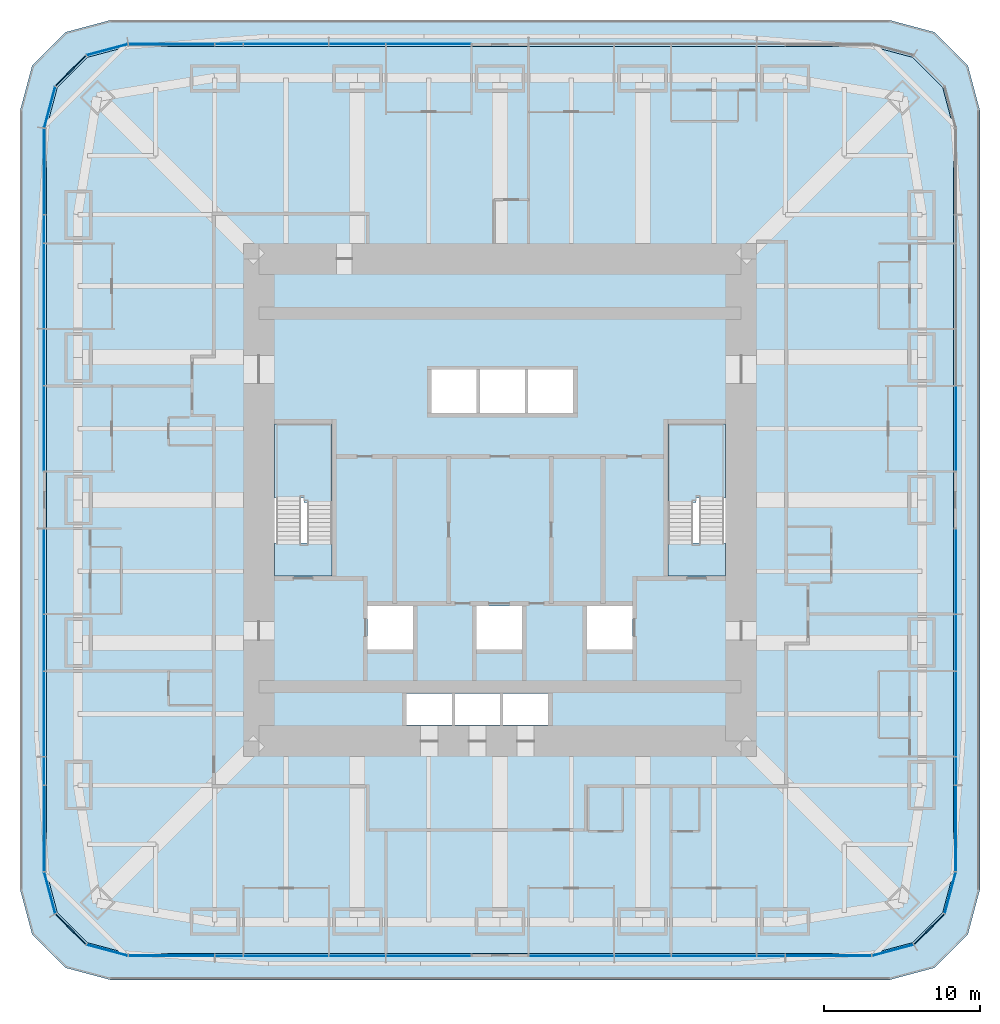
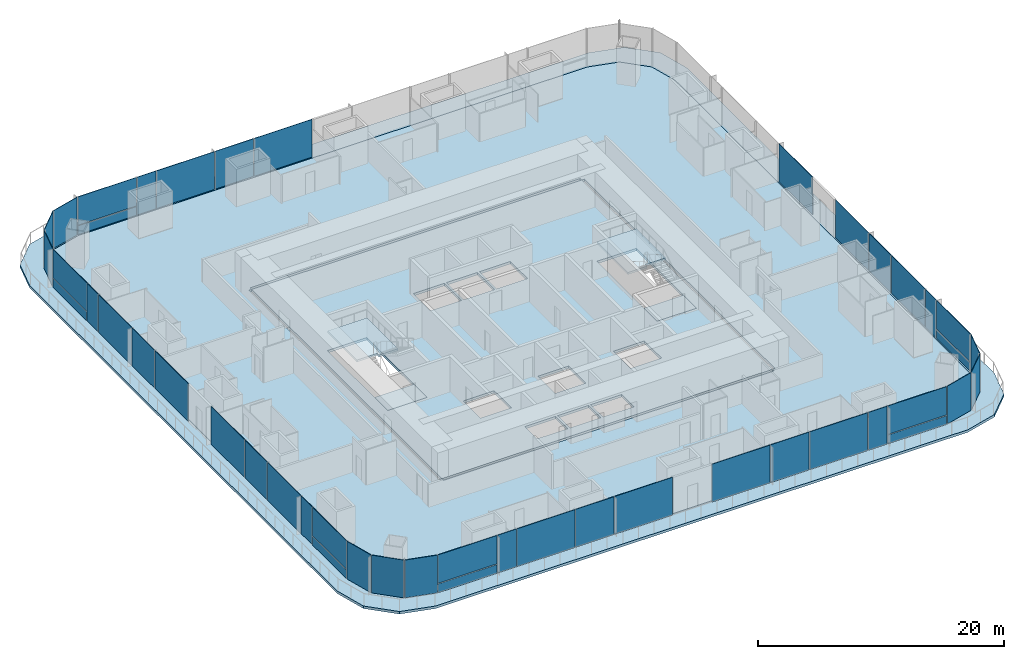
# One storey, part 9 of 16: 46 plates, 7 slabs, 9 elements without a shape of their own.
"""IFC4 building model written with IfcOpenShell, lengths in metres."""

from ifc_helpers import new_model, si_unit, direction, frame, origin, origin_2d, place, context, subcontext, project, spatial, polyline, rectangle, outline, extrude, material, layer, layer_set, type_object, element, aggregate, save


model = new_model("IFC4")

# Units and contexts
model_context = context("Model", 3, precision=1e-05, world=origin(), true_north=direction((0.0, 1.0)))
body_context = subcontext(model_context, "Body", "Model", "MODEL_VIEW")
ifc_project = project(units=[si_unit("LENGTHUNIT", "METRE"), si_unit("AREAUNIT", "SQUARE_METRE"), si_unit("VOLUMEUNIT", "CUBIC_METRE"), si_unit("PLANEANGLEUNIT", "RADIAN"), si_unit("MASSUNIT", "GRAM", prefix="KILO")], contexts=[model_context])

# Site, building, storey
site_placement = place(None, origin())
site = spatial("IfcSite", under=ifc_project, at=site_placement, CompositionType="ELEMENT")
building_placement = place(site_placement, origin())
building = spatial("IfcBuilding", under=site, at=building_placement, Name="Khuree Lantern Residences", CompositionType="ELEMENT")
storey_placement = place(building_placement, frame((0.0, 0.0, 107.25)))
storey = spatial("IfcBuildingStorey", under=building, at=storey_placement, Name="L26", CompositionType="ELEMENT", Elevation=107.25)

# Slab
ifc_material_1 = material(Name="Concrete C35/45", Category="concrete")
ifc_layer_1 = layer(ifc_material_1, 0.25)
ifc_layer_set_1 = layer_set([ifc_layer_1], Name="CFL250 CORE FLOOR SLAB 250")
slab_type_1 = type_object("IfcSlabType", Name="CFL250 CORE FLOOR SLAB 250", PredefinedType="FLOOR", material=ifc_layer_set_1)
slab_1_placement = place(storey_placement, frame((0.0, 0.0, -0.25)))
element("IfcSlab", 1, at=slab_1_placement, inside=storey, type_object=slab_type_1, Name="Core floor L26", PredefinedType="FLOOR", context=body_context, shape_type="SweptSolid", body=[
    extrude(outline(polyline([(-15.5, -15.5), (-15.5, 15.5), (15.5, 15.5), (15.5, -15.5), (-15.5, -15.5)]), holes=[polyline([(10.800048828125, 4.89990234375), (10.800048828125, -4.89990234375), (14.5, -4.89990234375), (14.5, 4.89990234375), (10.800048828125, 4.89990234375)]), polyline([(8.5, -6.800048828125), (5.60009765625, -6.800048828125), (5.60009765625, -9.60009765625), (8.5, -9.60009765625), (8.5, -6.800048828125)]), polyline([(4.699951171875, 8.39990234375), (1.800048828125, 8.39990234375), (1.800048828125, 5.60009765625), (4.699951171875, 5.60009765625), (4.699951171875, 8.39990234375)]), polyline([(3.10009765625, -12.449951171875), (0.199951171875, -12.449951171875), (0.199951171875, -14.449951171875), (3.10009765625, -14.449951171875), (3.10009765625, -12.449951171875)]), polyline([(1.60009765625, 8.39990234375), (-1.300048828125, 8.39990234375), (-1.300048828125, 5.60009765625), (1.60009765625, 5.60009765625), (1.60009765625, 8.39990234375)]), polyline([(1.39990234375, -6.800048828125), (-1.5, -6.800048828125), (-1.5, -9.60009765625), (1.39990234375, -9.60009765625), (1.39990234375, -6.800048828125)]), polyline([(-2.89990234375, -12.449951171875), (-2.89990234375, -14.449951171875), (0.0, -14.449951171875), (0.0, -12.449951171875), (-2.89990234375, -12.449951171875)]), polyline([(-4.39990234375, 8.39990234375), (-4.39990234375, 5.60009765625), (-1.5, 5.60009765625), (-1.5, 8.39990234375), (-4.39990234375, 8.39990234375)]), polyline([(-6.0, -12.449951171875), (-6.0, -14.449951171875), (-3.10009765625, -14.449951171875), (-3.10009765625, -12.449951171875), (-6.0, -12.449951171875)]), polyline([(-8.5, -6.800048828125), (-8.5, -9.60009765625), (-5.60009765625, -9.60009765625), (-5.60009765625, -6.800048828125), (-8.5, -6.800048828125)]), polyline([(-10.800048828125, 4.89990234375), (-14.5, 4.89990234375), (-14.5, -4.89990234375), (-10.800048828125, -4.89990234375), (-10.800048828125, 4.89990234375)])]), origin(), (0.0, 0.0, 1.0), 0.25),
])

# Curtain wall, plates
ifc_material_2 = material(Name="Bronze anodised aluminium", Category="aluminium")
curtain_wall_type_1 = type_object("IfcCurtainWallType", Name="CW-T2 TOWER CORNER CURTAIN WALL", PredefinedType="USERDEFINED", material=ifc_material_2)
curtain_wall_1_placement = place(storey_placement, origin())
curtain_wall_1 = element("IfcCurtainWall", 2, at=curtain_wall_1_placement, inside=storey, type_object=curtain_wall_type_1, Name="L26 SOUTH-EAST CORNER CURTAIN WALL", ObjectType="Faceted corner curtain wall", PredefinedType="USERDEFINED")
ifc_material_3 = material(Name="Bronze tinted triple glazing", Category="glass")
ifc_layer_2 = layer(ifc_material_3, 0.048095703125)
ifc_layer_set_2 = layer_set([ifc_layer_2], Name="FACET PANEL P4")
plate_type_1 = type_object("IfcPlateType", Name="FACET PANEL P4", PredefinedType="CURTAIN_PANEL", material=ifc_layer_set_2)
plate_1_placement = place(storey_placement, frame((25.248046875, -28.938720703125, 0.0), z_axis=(0.0, 0.0, 1.0), x_axis=(0.965925810153, 0.258819105321, 0.0)))
plate_1 = element("IfcPlate", 3, at=plate_1_placement, type_object=plate_type_1, Name="L26 SOUTH-EAST CORNER PANEL 1.1", PredefinedType="CURTAIN_PANEL", context=body_context, shape_type="SweptSolid", body=[
    extrude(rectangle(XDim=2.71923828125, YDim=0.048095703125, at=origin_2d()), origin(), (0.0, 0.0, 1.0), 3.75),
])
plate_2_placement = place(storey_placement, frame((27.58837890625, -27.58837890625, 0.0), z_axis=(0.0, 0.0, 1.0), x_axis=(0.707106781187, 0.707106781187, 0.0)))
plate_2 = element("IfcPlate", 4, at=plate_2_placement, type_object=plate_type_1, Name="L26 SOUTH-EAST CORNER PANEL 2.1", PredefinedType="CURTAIN_PANEL", context=body_context, shape_type="SweptSolid", body=[
    extrude(rectangle(XDim=2.715087890625, YDim=0.048095703125, at=origin_2d()), origin(), (0.0, 0.0, 1.0), 3.75),
])
plate_3_placement = place(storey_placement, frame((28.938720703125, -25.248046875, 0.0), z_axis=(0.0, 0.0, 1.0), x_axis=(0.258819105321, 0.965925810153, 0.0)))
plate_3 = element("IfcPlate", 5, at=plate_3_placement, type_object=plate_type_1, Name="L26 SOUTH-EAST CORNER PANEL 3.1", PredefinedType="CURTAIN_PANEL", context=body_context, shape_type="SweptSolid", body=[
    extrude(rectangle(XDim=2.71923828125, YDim=0.048095703125, at=origin_2d()), origin(), (0.0, 0.0, 1.0), 3.75),
])
aggregate(curtain_wall_1, [plate_1, plate_2, plate_3])

curtain_wall_2_placement = place(storey_placement, origin())
curtain_wall_2 = element("IfcCurtainWall", 6, at=curtain_wall_2_placement, inside=storey, type_object=curtain_wall_type_1, Name="L26 NORTH-WEST CORNER CURTAIN WALL", ObjectType="Faceted corner curtain wall", PredefinedType="USERDEFINED")
plate_4_placement = place(storey_placement, frame((-25.248046875, 28.938720703125, 0.0), z_axis=(0.0, 0.0, 1.0), x_axis=(-0.965925810153, -0.258819105321, 0.0)))
plate_4 = element("IfcPlate", 7, at=plate_4_placement, type_object=plate_type_1, Name="L26 NORTH-WEST CORNER PANEL 29.1", PredefinedType="CURTAIN_PANEL", context=body_context, shape_type="SweptSolid", body=[
    extrude(rectangle(XDim=2.71923828125, YDim=0.048095703125, at=origin_2d()), origin(), (0.0, 0.0, 1.0), 3.75),
])
plate_5_placement = place(storey_placement, frame((-27.58837890625, 27.58837890625, 0.0), z_axis=(0.0, 0.0, 1.0), x_axis=(-0.707106781187, -0.707106781187, 0.0)))
plate_5 = element("IfcPlate", 8, at=plate_5_placement, type_object=plate_type_1, Name="L26 NORTH-WEST CORNER PANEL 30.1", PredefinedType="CURTAIN_PANEL", context=body_context, shape_type="SweptSolid", body=[
    extrude(rectangle(XDim=2.715087890625, YDim=0.048095703125, at=origin_2d()), origin(), (0.0, 0.0, 1.0), 3.75),
])
plate_6_placement = place(storey_placement, frame((-28.938720703125, 25.248046875, 0.0), z_axis=(0.0, 0.0, 1.0), x_axis=(-0.258819105321, -0.965925810153, 0.0)))
plate_6 = element("IfcPlate", 9, at=plate_6_placement, type_object=plate_type_1, Name="L26 NORTH-WEST CORNER PANEL 31.1", PredefinedType="CURTAIN_PANEL", context=body_context, shape_type="SweptSolid", body=[
    extrude(rectangle(XDim=2.71923828125, YDim=0.048095703125, at=origin_2d()), origin(), (0.0, 0.0, 1.0), 3.75),
])
aggregate(curtain_wall_2, [plate_4, plate_5, plate_6])

curtain_wall_3_placement = place(storey_placement, origin())
curtain_wall_3 = element("IfcCurtainWall", 10, at=curtain_wall_3_placement, inside=storey, type_object=curtain_wall_type_1, Name="L26 SOUTH-WEST CORNER CURTAIN WALL", ObjectType="Faceted corner curtain wall", PredefinedType="USERDEFINED")
plate_7_placement = place(storey_placement, frame((-28.938720703125, -25.248046875, 0.0), z_axis=(0.0, 0.0, 1.0), x_axis=(0.258819105321, -0.965925810153, 0.0)))
plate_7 = element("IfcPlate", 11, at=plate_7_placement, type_object=plate_type_1, Name="L26 SOUTH-WEST CORNER PANEL 43.1", PredefinedType="CURTAIN_PANEL", context=body_context, shape_type="SweptSolid", body=[
    extrude(rectangle(XDim=2.71923828125, YDim=0.048095703125, at=origin_2d()), origin(), (0.0, 0.0, 1.0), 3.75),
])
plate_8_placement = place(storey_placement, frame((-27.58837890625, -27.58837890625, 0.0), z_axis=(0.0, 0.0, 1.0), x_axis=(0.707106781187, -0.707106781187, 0.0)))
plate_8 = element("IfcPlate", 12, at=plate_8_placement, type_object=plate_type_1, Name="L26 SOUTH-WEST CORNER PANEL 44.1", PredefinedType="CURTAIN_PANEL", context=body_context, shape_type="SweptSolid", body=[
    extrude(rectangle(XDim=2.715087890625, YDim=0.048095703125, at=origin_2d()), origin(), (0.0, 0.0, 1.0), 3.75),
])
plate_9_placement = place(storey_placement, frame((-25.248046875, -28.938720703125, 0.0), z_axis=(0.0, 0.0, 1.0), x_axis=(0.965925810153, -0.258819105321, 0.0)))
plate_9 = element("IfcPlate", 13, at=plate_9_placement, type_object=plate_type_1, Name="L26 SOUTH-WEST CORNER PANEL 45.1", PredefinedType="CURTAIN_PANEL", context=body_context, shape_type="SweptSolid", body=[
    extrude(rectangle(XDim=2.71923828125, YDim=0.048095703125, at=origin_2d()), origin(), (0.0, 0.0, 1.0), 3.75),
])
aggregate(curtain_wall_3, [plate_7, plate_8, plate_9])

curtain_wall_type_2 = type_object("IfcCurtainWallType", Name="CW-T1 TOWER FACE CURTAIN WALL", PredefinedType="USERDEFINED", material=ifc_material_2)
curtain_wall_4_placement = place(storey_placement, origin())
curtain_wall_4 = element("IfcCurtainWall", 14, at=curtain_wall_4_placement, inside=storey, type_object=curtain_wall_type_2, Name="L26 EAST FACE CURTAIN WALL", ObjectType="Stick-built curtain wall", PredefinedType="USERDEFINED")
ifc_material_4 = material(Name="Bronze tinted triple glazing with a ceramic-fritted spandrel band", Category="glass")
ifc_layer_3 = layer(ifc_material_4, 0.048095703125)
ifc_layer_set_3 = layer_set([ifc_layer_3], Name="FIXED LIGHT PANEL P11")
plate_type_2 = type_object("IfcPlateType", Name="FIXED LIGHT PANEL P11", PredefinedType="CURTAIN_PANEL", material=ifc_layer_set_3)
plate_10_placement = place(storey_placement, frame((29.300048828125, -13.739990234375, 0.0), z_axis=(0.0, 0.0, 1.0), x_axis=(0.0, 1.0, 0.0)))
plate_10 = element("IfcPlate", 15, at=plate_10_placement, type_object=plate_type_2, Name="L26 EAST FACE PANEL 6.1", PredefinedType="CURTAIN_PANEL", context=body_context, shape_type="SweptSolid", body=[
    extrude(rectangle(XDim=5.430908203125, YDim=0.048095703125, at=origin_2d()), origin(), (0.0, 0.0, 1.0), 3.75),
])
plate_11_placement = place(storey_placement, frame((29.300048828125, -4.580078125, 0.0), z_axis=(0.0, 0.0, 1.0), x_axis=(0.0, 1.0, 0.0)))
plate_11 = element("IfcPlate", 16, at=plate_11_placement, type_object=plate_type_2, Name="L26 EAST FACE PANEL 8.1", PredefinedType="CURTAIN_PANEL", context=body_context, shape_type="SweptSolid", body=[
    extrude(rectangle(XDim=5.430908203125, YDim=0.048095703125, at=origin_2d()), origin(), (0.0, 0.0, 1.0), 3.75),
])
plate_12_placement = place(storey_placement, frame((29.300048828125, 4.580078125, 0.0), z_axis=(0.0, 0.0, 1.0), x_axis=(0.0, 1.0, 0.0)))
plate_12 = element("IfcPlate", 17, at=plate_12_placement, type_object=plate_type_2, Name="L26 EAST FACE PANEL 10.1", PredefinedType="CURTAIN_PANEL", context=body_context, shape_type="SweptSolid", body=[
    extrude(rectangle(XDim=5.430908203125, YDim=0.048095703125, at=origin_2d()), origin(), (0.0, 0.0, 1.0), 3.75),
])

curtain_wall_5_placement = place(storey_placement, origin())
curtain_wall_5 = element("IfcCurtainWall", 18, at=curtain_wall_5_placement, inside=storey, type_object=curtain_wall_type_2, Name="L26 NORTH FACE CURTAIN WALL", ObjectType="Stick-built curtain wall", PredefinedType="USERDEFINED")
plate_13_placement = place(storey_placement, frame((-4.580078125, 29.300048828125, 0.0), z_axis=(0.0, 0.0, 1.0), x_axis=(-1.0, 0.0, 0.0)))
plate_13 = element("IfcPlate", 19, at=plate_13_placement, type_object=plate_type_2, Name="L26 NORTH FACE PANEL 24.1", PredefinedType="CURTAIN_PANEL", context=body_context, shape_type="SweptSolid", body=[
    extrude(rectangle(XDim=5.430908203125, YDim=0.048095703125, at=origin_2d()), origin(), (0.0, 0.0, 1.0), 3.75),
])
plate_14_placement = place(storey_placement, frame((-13.739990234375, 29.300048828125, 0.0), z_axis=(0.0, 0.0, 1.0), x_axis=(-1.0, 0.0, 0.0)))
plate_14 = element("IfcPlate", 20, at=plate_14_placement, type_object=plate_type_2, Name="L26 NORTH FACE PANEL 26.1", PredefinedType="CURTAIN_PANEL", context=body_context, shape_type="SweptSolid", body=[
    extrude(rectangle(XDim=5.430908203125, YDim=0.048095703125, at=origin_2d()), origin(), (0.0, 0.0, 1.0), 3.75),
])

curtain_wall_6_placement = place(storey_placement, origin())
curtain_wall_6 = element("IfcCurtainWall", 21, at=curtain_wall_6_placement, inside=storey, type_object=curtain_wall_type_2, Name="L26 WEST FACE CURTAIN WALL", ObjectType="Stick-built curtain wall", PredefinedType="USERDEFINED")
plate_15_placement = place(storey_placement, frame((-29.300048828125, 13.739990234375, 0.0), z_axis=(0.0, 0.0, 1.0), x_axis=(0.0, -1.0, 0.0)))
plate_15 = element("IfcPlate", 22, at=plate_15_placement, type_object=plate_type_2, Name="L26 WEST FACE PANEL 34.1", PredefinedType="CURTAIN_PANEL", context=body_context, shape_type="SweptSolid", body=[
    extrude(rectangle(XDim=5.430908203125, YDim=0.048095703125, at=origin_2d()), origin(), (0.0, 0.0, 1.0), 3.75),
])
plate_16_placement = place(storey_placement, frame((-29.300048828125, 4.580078125, 0.0), z_axis=(0.0, 0.0, 1.0), x_axis=(0.0, -1.0, 0.0)))
plate_16 = element("IfcPlate", 23, at=plate_16_placement, type_object=plate_type_2, Name="L26 WEST FACE PANEL 36.1", PredefinedType="CURTAIN_PANEL", context=body_context, shape_type="SweptSolid", body=[
    extrude(rectangle(XDim=5.430908203125, YDim=0.048095703125, at=origin_2d()), origin(), (0.0, 0.0, 1.0), 3.75),
])
plate_17_placement = place(storey_placement, frame((-29.300048828125, -4.580078125, 0.0), z_axis=(0.0, 0.0, 1.0), x_axis=(0.0, -1.0, 0.0)))
plate_17 = element("IfcPlate", 24, at=plate_17_placement, type_object=plate_type_2, Name="L26 WEST FACE PANEL 38.1", PredefinedType="CURTAIN_PANEL", context=body_context, shape_type="SweptSolid", body=[
    extrude(rectangle(XDim=5.430908203125, YDim=0.048095703125, at=origin_2d()), origin(), (0.0, 0.0, 1.0), 3.75),
])
plate_18_placement = place(storey_placement, frame((-29.300048828125, -13.739990234375, 0.0), z_axis=(0.0, 0.0, 1.0), x_axis=(0.0, -1.0, 0.0)))
plate_18 = element("IfcPlate", 25, at=plate_18_placement, type_object=plate_type_2, Name="L26 WEST FACE PANEL 40.1", PredefinedType="CURTAIN_PANEL", context=body_context, shape_type="SweptSolid", body=[
    extrude(rectangle(XDim=5.430908203125, YDim=0.048095703125, at=origin_2d()), origin(), (0.0, 0.0, 1.0), 3.75),
])

curtain_wall_7_placement = place(storey_placement, origin())
curtain_wall_7 = element("IfcCurtainWall", 26, at=curtain_wall_7_placement, inside=storey, type_object=curtain_wall_type_2, Name="L26 SOUTH FACE CURTAIN WALL", ObjectType="Stick-built curtain wall", PredefinedType="USERDEFINED")
plate_19_placement = place(storey_placement, frame((-13.739990234375, -29.300048828125, 0.0), z_axis=(0.0, 0.0, 1.0), x_axis=(1.0, 0.0, 0.0)))
plate_19 = element("IfcPlate", 27, at=plate_19_placement, type_object=plate_type_2, Name="L26 SOUTH FACE PANEL 48.1", PredefinedType="CURTAIN_PANEL", context=body_context, shape_type="SweptSolid", body=[
    extrude(rectangle(XDim=5.430908203125, YDim=0.048095703125, at=origin_2d()), origin(), (0.0, 0.0, 1.0), 3.75),
])
plate_20_placement = place(storey_placement, frame((-4.580078125, -29.300048828125, 0.0), z_axis=(0.0, 0.0, 1.0), x_axis=(1.0, 0.0, 0.0)))
plate_20 = element("IfcPlate", 28, at=plate_20_placement, type_object=plate_type_2, Name="L26 SOUTH FACE PANEL 50.1", PredefinedType="CURTAIN_PANEL", context=body_context, shape_type="SweptSolid", body=[
    extrude(rectangle(XDim=5.430908203125, YDim=0.048095703125, at=origin_2d()), origin(), (0.0, 0.0, 1.0), 3.75),
])
plate_21_placement = place(storey_placement, frame((4.580078125, -29.300048828125, 0.0), z_axis=(0.0, 0.0, 1.0), x_axis=(1.0, 0.0, 0.0)))
plate_21 = element("IfcPlate", 29, at=plate_21_placement, type_object=plate_type_2, Name="L26 SOUTH FACE PANEL 52.1", PredefinedType="CURTAIN_PANEL", context=body_context, shape_type="SweptSolid", body=[
    extrude(rectangle(XDim=5.430908203125, YDim=0.048095703125, at=origin_2d()), origin(), (0.0, 0.0, 1.0), 3.75),
])
plate_22_placement = place(storey_placement, frame((13.739990234375, -29.300048828125, 0.0), z_axis=(0.0, 0.0, 1.0), x_axis=(1.0, 0.0, 0.0)))
plate_22 = element("IfcPlate", 30, at=plate_22_placement, type_object=plate_type_2, Name="L26 SOUTH FACE PANEL 54.1", PredefinedType="CURTAIN_PANEL", context=body_context, shape_type="SweptSolid", body=[
    extrude(rectangle(XDim=5.430908203125, YDim=0.048095703125, at=origin_2d()), origin(), (0.0, 0.0, 1.0), 3.75),
])

# Slab
ifc_layer_4 = layer(ifc_material_1, 0.25)
ifc_layer_set_4 = layer_set([ifc_layer_4], Name="FS250 FLOOR SLAB 250")
slab_type_2 = type_object("IfcSlabType", Name="FS250 FLOOR SLAB 250", PredefinedType="FLOOR", material=ifc_layer_set_4)
slab_2_placement = place(storey_placement, frame((0.0, 0.0, -0.25)))
element("IfcSlab", 31, at=slab_2_placement, inside=storey, type_object=slab_type_2, Name="Floor slab L26", PredefinedType="FLOOR", context=body_context, shape_type="SweptSolid", body=[
    extrude(outline(polyline([(-26.52490234375, -28.446533203125), (-28.446533203125, -26.52490234375), (-29.14990234375, -23.89990234375), (-29.14990234375, 23.89990234375), (-28.446533203125, 26.52490234375), (-26.52490234375, 28.446533203125), (-23.89990234375, 29.14990234375), (23.89990234375, 29.14990234375), (26.52490234375, 28.446533203125), (28.446533203125, 26.52490234375), (29.14990234375, 23.89990234375), (29.14990234375, -23.89990234375), (28.446533203125, -26.52490234375), (26.52490234375, -28.446533203125), (23.89990234375, -29.14990234375), (-23.89990234375, -29.14990234375), (-26.52490234375, -28.446533203125)]), holes=[polyline([(15.75, 15.5), (15.5, 15.5), (15.5, 15.75), (-15.5, 15.75), (-15.5, 15.5), (-15.75, 15.5), (-15.75, -15.5), (-15.5, -15.5), (-15.5, -15.75), (15.5, -15.75), (15.5, -15.5), (15.75, -15.5), (15.75, 15.5)])]), origin(), (0.0, 0.0, 1.0), 0.25),
])

# Plate
ifc_material_5 = material(Name="Bronze tinted triple glazing, two aluminium-framed sashes in one frame", Category="aluminium")
ifc_layer_5 = layer(ifc_material_5, 0.048095703125)
ifc_layer_set_5 = layer_set([ifc_layer_5], Name="SASH PAIR PANEL P12")
plate_type_3 = type_object("IfcPlateType", Name="SASH PAIR PANEL P12", PredefinedType="CURTAIN_PANEL", material=ifc_layer_set_5)
plate_23_placement = place(storey_placement, frame((29.300048828125, -9.159912109375, 0.0), z_axis=(0.0, 0.0, 1.0), x_axis=(0.0, 1.0, 0.0)))
plate_23 = element("IfcPlate", 32, at=plate_23_placement, type_object=plate_type_3, Name="L26 EAST FACE PANEL 7.1", PredefinedType="CURTAIN_PANEL", context=body_context, shape_type="SweptSolid", body=[
    extrude(rectangle(XDim=3.59912109375, YDim=0.048095703125, at=origin_2d()), origin(), (0.0, 0.0, 1.0), 3.75),
])

plate_24_placement = place(storey_placement, frame((-9.159912109375, 29.300048828125, 0.0), z_axis=(0.0, 0.0, 1.0), x_axis=(-1.0, 0.0, 0.0)))
plate_24 = element("IfcPlate", 33, at=plate_24_placement, type_object=plate_type_3, Name="L26 NORTH FACE PANEL 25.1", PredefinedType="CURTAIN_PANEL", context=body_context, shape_type="SweptSolid", body=[
    extrude(rectangle(XDim=3.59912109375, YDim=0.048095703125, at=origin_2d()), origin(), (0.0, 0.0, 1.0), 3.75),
])

plate_25_placement = place(storey_placement, frame((-29.300048828125, 9.159912109375, 0.0), z_axis=(0.0, 0.0, 1.0), x_axis=(0.0, -1.0, 0.0)))
plate_25 = element("IfcPlate", 34, at=plate_25_placement, type_object=plate_type_3, Name="L26 WEST FACE PANEL 35.1", PredefinedType="CURTAIN_PANEL", context=body_context, shape_type="SweptSolid", body=[
    extrude(rectangle(XDim=3.59912109375, YDim=0.048095703125, at=origin_2d()), origin(), (0.0, 0.0, 1.0), 3.75),
])

plate_26_placement = place(storey_placement, frame((-29.300048828125, -9.159912109375, 0.0), z_axis=(0.0, 0.0, 1.0), x_axis=(0.0, -1.0, 0.0)))
plate_26 = element("IfcPlate", 35, at=plate_26_placement, type_object=plate_type_3, Name="L26 WEST FACE PANEL 39.1", PredefinedType="CURTAIN_PANEL", context=body_context, shape_type="SweptSolid", body=[
    extrude(rectangle(XDim=3.59912109375, YDim=0.048095703125, at=origin_2d()), origin(), (0.0, 0.0, 1.0), 3.75),
])

plate_27_placement = place(storey_placement, frame((-9.159912109375, -29.300048828125, 0.0), z_axis=(0.0, 0.0, 1.0), x_axis=(1.0, 0.0, 0.0)))
plate_27 = element("IfcPlate", 36, at=plate_27_placement, type_object=plate_type_3, Name="L26 SOUTH FACE PANEL 49.1", PredefinedType="CURTAIN_PANEL", context=body_context, shape_type="SweptSolid", body=[
    extrude(rectangle(XDim=3.59912109375, YDim=0.048095703125, at=origin_2d()), origin(), (0.0, 0.0, 1.0), 3.75),
])

plate_28_placement = place(storey_placement, frame((9.159912109375, -29.300048828125, 0.0), z_axis=(0.0, 0.0, 1.0), x_axis=(1.0, 0.0, 0.0)))
plate_28 = element("IfcPlate", 37, at=plate_28_placement, type_object=plate_type_3, Name="L26 SOUTH FACE PANEL 53.1", PredefinedType="CURTAIN_PANEL", context=body_context, shape_type="SweptSolid", body=[
    extrude(rectangle(XDim=3.59912109375, YDim=0.048095703125, at=origin_2d()), origin(), (0.0, 0.0, 1.0), 3.75),
])

ifc_material_6 = material(Name="Bronze tinted triple glazing, aluminium-framed sash", Category="aluminium")
ifc_layer_6 = layer(ifc_material_6, 0.048095703125)
ifc_layer_set_6 = layer_set([ifc_layer_6], Name="SASH PANEL P3")
plate_type_4 = type_object("IfcPlateType", Name="SASH PANEL P3", PredefinedType="CURTAIN_PANEL", material=ifc_layer_set_6)
plate_29_placement = place(storey_placement, frame((29.300048828125, -17.404052734375, 0.0), z_axis=(0.0, 0.0, 1.0), x_axis=(0.0, 1.0, 0.0)))
plate_29 = element("IfcPlate", 38, at=plate_29_placement, type_object=plate_type_4, Name="L26 EAST FACE PANEL 5.1", PredefinedType="CURTAIN_PANEL", context=body_context, shape_type="SweptSolid", body=[
    extrude(rectangle(XDim=1.76708984375, YDim=0.048095703125, at=origin_2d()), origin(), (0.0, 0.0, 1.0), 3.75),
])

plate_30_placement = place(storey_placement, frame((-17.404052734375, 29.300048828125, 0.0), z_axis=(0.0, 0.0, 1.0), x_axis=(-1.0, 0.0, 0.0)))
plate_30 = element("IfcPlate", 39, at=plate_30_placement, type_object=plate_type_4, Name="L26 NORTH FACE PANEL 27.1", PredefinedType="CURTAIN_PANEL", context=body_context, shape_type="SweptSolid", body=[
    extrude(rectangle(XDim=1.76708984375, YDim=0.048095703125, at=origin_2d()), origin(), (0.0, 0.0, 1.0), 3.75),
])

plate_31_placement = place(storey_placement, frame((-29.300048828125, 17.404052734375, 0.0), z_axis=(0.0, 0.0, 1.0), x_axis=(0.0, -1.0, 0.0)))
plate_31 = element("IfcPlate", 40, at=plate_31_placement, type_object=plate_type_4, Name="L26 WEST FACE PANEL 33.1", PredefinedType="CURTAIN_PANEL", context=body_context, shape_type="SweptSolid", body=[
    extrude(rectangle(XDim=1.76708984375, YDim=0.048095703125, at=origin_2d()), origin(), (0.0, 0.0, 1.0), 3.75),
])

plate_32_placement = place(storey_placement, frame((-29.300048828125, -17.404052734375, 0.0), z_axis=(0.0, 0.0, 1.0), x_axis=(0.0, -1.0, 0.0)))
plate_32 = element("IfcPlate", 41, at=plate_32_placement, type_object=plate_type_4, Name="L26 WEST FACE PANEL 41.1", PredefinedType="CURTAIN_PANEL", context=body_context, shape_type="SweptSolid", body=[
    extrude(rectangle(XDim=1.76708984375, YDim=0.048095703125, at=origin_2d()), origin(), (0.0, 0.0, 1.0), 3.75),
])

plate_33_placement = place(storey_placement, frame((-17.404052734375, -29.300048828125, 0.0), z_axis=(0.0, 0.0, 1.0), x_axis=(1.0, 0.0, 0.0)))
plate_33 = element("IfcPlate", 42, at=plate_33_placement, type_object=plate_type_4, Name="L26 SOUTH FACE PANEL 47.1", PredefinedType="CURTAIN_PANEL", context=body_context, shape_type="SweptSolid", body=[
    extrude(rectangle(XDim=1.76708984375, YDim=0.048095703125, at=origin_2d()), origin(), (0.0, 0.0, 1.0), 3.75),
])

plate_34_placement = place(storey_placement, frame((17.404052734375, -29.300048828125, 0.0), z_axis=(0.0, 0.0, 1.0), x_axis=(1.0, 0.0, 0.0)))
plate_34 = element("IfcPlate", 43, at=plate_34_placement, type_object=plate_type_4, Name="L26 SOUTH FACE PANEL 55.1", PredefinedType="CURTAIN_PANEL", context=body_context, shape_type="SweptSolid", body=[
    extrude(rectangle(XDim=1.76708984375, YDim=0.048095703125, at=origin_2d()), origin(), (0.0, 0.0, 1.0), 3.75),
])

ifc_material_7 = material(Name="Bronze anodised aluminium insulated spandrel", Category="aluminium")
ifc_layer_7 = layer(ifc_material_7, 0.06005859375)
ifc_layer_set_7 = layer_set([ifc_layer_7], Name="SPANDREL PANEL P2")
plate_type_5 = type_object("IfcPlateType", Name="SPANDREL PANEL P2", PredefinedType="CURTAIN_PANEL", material=ifc_layer_set_7)
plate_35_placement = place(storey_placement, frame((29.300048828125, -21.10791015625, 0.0), z_axis=(0.0, 0.0, 1.0), x_axis=(0.0, 1.0, 0.0)))
plate_35 = element("IfcPlate", 44, at=plate_35_placement, type_object=plate_type_5, Name="L26 EAST FACE PANEL 4.1", PredefinedType="CURTAIN_PANEL", context=body_context, shape_type="SweptSolid", body=[
    extrude(rectangle(XDim=5.5107421875, YDim=0.06005859375, at=origin_2d()), origin(), (0.0, 0.0, 1.0), 0.867431640625),
])

plate_36_placement = place(storey_placement, frame((-21.10791015625, 29.300048828125, 0.0), z_axis=(0.0, 0.0, 1.0), x_axis=(-1.0, 0.0, 0.0)))
plate_36 = element("IfcPlate", 45, at=plate_36_placement, type_object=plate_type_5, Name="L26 NORTH FACE PANEL 28.1", PredefinedType="CURTAIN_PANEL", context=body_context, shape_type="SweptSolid", body=[
    extrude(rectangle(XDim=5.5107421875, YDim=0.06005859375, at=origin_2d()), origin(), (0.0, 0.0, 1.0), 0.867431640625),
])

plate_37_placement = place(storey_placement, frame((-29.300048828125, 21.10791015625, 0.0), z_axis=(0.0, 0.0, 1.0), x_axis=(0.0, -1.0, 0.0)))
plate_37 = element("IfcPlate", 46, at=plate_37_placement, type_object=plate_type_5, Name="L26 WEST FACE PANEL 32.1", PredefinedType="CURTAIN_PANEL", context=body_context, shape_type="SweptSolid", body=[
    extrude(rectangle(XDim=5.5107421875, YDim=0.06005859375, at=origin_2d()), origin(), (0.0, 0.0, 1.0), 0.867431640625),
])

plate_38_placement = place(storey_placement, frame((-29.300048828125, -21.10791015625, 0.0), z_axis=(0.0, 0.0, 1.0), x_axis=(0.0, -1.0, 0.0)))
plate_38 = element("IfcPlate", 47, at=plate_38_placement, type_object=plate_type_5, Name="L26 WEST FACE PANEL 42.1", PredefinedType="CURTAIN_PANEL", context=body_context, shape_type="SweptSolid", body=[
    extrude(rectangle(XDim=5.5107421875, YDim=0.06005859375, at=origin_2d()), origin(), (0.0, 0.0, 1.0), 0.867431640625),
])

plate_39_placement = place(storey_placement, frame((-21.10791015625, -29.300048828125, 0.0), z_axis=(0.0, 0.0, 1.0), x_axis=(1.0, 0.0, 0.0)))
plate_39 = element("IfcPlate", 48, at=plate_39_placement, type_object=plate_type_5, Name="L26 SOUTH FACE PANEL 46.1", PredefinedType="CURTAIN_PANEL", context=body_context, shape_type="SweptSolid", body=[
    extrude(rectangle(XDim=5.5107421875, YDim=0.06005859375, at=origin_2d()), origin(), (0.0, 0.0, 1.0), 0.867431640625),
])

plate_40_placement = place(storey_placement, frame((21.10791015625, -29.300048828125, 0.0), z_axis=(0.0, 0.0, 1.0), x_axis=(1.0, 0.0, 0.0)))
plate_40 = element("IfcPlate", 49, at=plate_40_placement, type_object=plate_type_5, Name="L26 SOUTH FACE PANEL 56.1", PredefinedType="CURTAIN_PANEL", context=body_context, shape_type="SweptSolid", body=[
    extrude(rectangle(XDim=5.5107421875, YDim=0.06005859375, at=origin_2d()), origin(), (0.0, 0.0, 1.0), 0.867431640625),
])

# Stair, slabs
ifc_material_8 = material(Name="Concrete C40/50", Category="concrete")
stair_type = type_object("IfcStairType", Name="STAIR ST1 HALF TURN 3600", PredefinedType="HALF_TURN_STAIR", material=ifc_material_8)
stair_1_placement = place(storey_placement, origin())
stair_1 = element("IfcStair", 50, at=stair_1_placement, inside=storey, type_object=stair_type, Name="Stair ST1", PredefinedType="HALF_TURN_STAIR")
ifc_layer_8 = layer(ifc_material_8, 0.199951171875)
ifc_layer_set_8 = layer_set([ifc_layer_8], Name="STAIR LANDING SL1 200")
slab_type_3 = type_object("IfcSlabType", Name="STAIR LANDING SL1 200", PredefinedType="LANDING", material=ifc_layer_set_8)
slab_3_placement = place(storey_placement, frame((0.0, 0.0, -0.199951171875)))
slab_3 = element("IfcSlab", 51, at=slab_3_placement, type_object=slab_type_3, Name="ST1 landing 1", PredefinedType="LANDING", context=body_context, shape_type="SweptSolid", body=[
    extrude(outline(polyline([(-14.5, -4.89990234375), (-10.800048828125, -4.89990234375), (-10.800048828125, -2.760009765625), (-14.5, -2.760009765625), (-14.5, -4.89990234375)])), origin(), (0.0, 0.0, 1.0), 0.199951171875),
])
slab_4_placement = place(storey_placement, frame((0.0, 0.0, 1.756591796875)))
slab_4 = element("IfcSlab", 52, at=slab_4_placement, type_object=slab_type_3, Name="ST1 landing 2", PredefinedType="LANDING", context=body_context, shape_type="SweptSolid", body=[
    extrude(outline(polyline([(-14.5, 0.1201171875), (-14.5, 4.89990234375), (-10.800048828125, 4.89990234375), (-10.800048828125, -0.159912109375), (-12.60009765625, -0.159912109375), (-12.60009765625, 0.1201171875), (-14.5, 0.1201171875)])), origin(), (0.0, 0.0, 1.0), 0.199951171875),
])
aggregate(stair_1, [slab_3, slab_4])

stair_2_placement = place(storey_placement, origin())
stair_2 = element("IfcStair", 53, at=stair_2_placement, inside=storey, type_object=stair_type, Name="Stair ST2", PredefinedType="HALF_TURN_STAIR")
slab_5_placement = place(storey_placement, frame((0.0, 0.0, -0.199951171875)))
slab_5 = element("IfcSlab", 54, at=slab_5_placement, type_object=slab_type_3, Name="ST2 landing 1", PredefinedType="LANDING", context=body_context, shape_type="SweptSolid", body=[
    extrude(outline(polyline([(10.800048828125, -4.89990234375), (14.5, -4.89990234375), (14.5, -2.760009765625), (10.800048828125, -2.760009765625), (10.800048828125, -4.89990234375)])), origin(), (0.0, 0.0, 1.0), 0.199951171875),
])
slab_6_placement = place(storey_placement, frame((0.0, 0.0, 1.756591796875)))
slab_6 = element("IfcSlab", 55, at=slab_6_placement, type_object=slab_type_3, Name="ST2 landing 2", PredefinedType="LANDING", context=body_context, shape_type="SweptSolid", body=[
    extrude(outline(polyline([(14.5, 4.89990234375), (14.5, 0.1201171875), (12.60009765625, 0.1201171875), (12.60009765625, -0.159912109375), (10.800048828125, -0.159912109375), (10.800048828125, 4.89990234375), (14.5, 4.89990234375)])), origin(), (0.0, 0.0, 1.0), 0.199951171875),
])
aggregate(stair_2, [slab_5, slab_6])

# Slab
ifc_layer_9 = layer(ifc_material_1, 0.25)
ifc_layer_set_9 = layer_set([ifc_layer_9], Name="TS250 TERRACE SLAB 250")
slab_type_4 = type_object("IfcSlabType", Name="TS250 TERRACE SLAB 250", PredefinedType="FLOOR", material=ifc_layer_set_9)
slab_7_placement = place(storey_placement, frame((0.0, 0.0, -0.25)))
element("IfcSlab", 56, at=slab_7_placement, inside=storey, type_object=slab_type_4, Name="Terrace L26", PredefinedType="FLOOR", context=body_context, shape_type="SweptSolid", body=[
    extrude(outline(polyline([(-27.925048828125, -30.066162109375), (-30.066162109375, -27.925048828125), (-30.85009765625, -25.0), (-30.85009765625, 25.0), (-30.066162109375, 27.925048828125), (-27.925048828125, 30.066162109375), (-25.0, 30.85009765625), (25.0, 30.85009765625), (27.925048828125, 30.066162109375), (30.066162109375, 27.925048828125), (30.85009765625, 25.0), (30.85009765625, -25.0), (30.066162109375, -27.925048828125), (27.925048828125, -30.066162109375), (25.0, -30.85009765625), (-25.0, -30.85009765625), (-27.925048828125, -30.066162109375)]), holes=[polyline([(28.446533203125, -26.52490234375), (29.14990234375, -23.89990234375), (29.14990234375, 23.89990234375), (28.446533203125, 26.52490234375), (26.52490234375, 28.446533203125), (23.89990234375, 29.14990234375), (-23.89990234375, 29.14990234375), (-26.52490234375, 28.446533203125), (-28.446533203125, 26.52490234375), (-29.14990234375, 23.89990234375), (-29.14990234375, -23.89990234375), (-28.446533203125, -26.52490234375), (-26.52490234375, -28.446533203125), (-23.89990234375, -29.14990234375), (23.89990234375, -29.14990234375), (26.52490234375, -28.446533203125), (28.446533203125, -26.52490234375)])]), origin(), (0.0, 0.0, 1.0), 0.25),
])

# Plate
ifc_layer_10 = layer(ifc_material_3, 0.048095703125)
ifc_layer_set_10 = layer_set([ifc_layer_10], Name="VISION PANEL P1")
plate_type_6 = type_object("IfcPlateType", Name="VISION PANEL P1", PredefinedType="CURTAIN_PANEL", material=ifc_layer_set_10)
plate_41_placement = place(storey_placement, frame((29.300048828125, -21.1083984375, 0.9326171875), z_axis=(0.0, 0.0, 1.0), x_axis=(0.0, 1.0, 0.0)))
plate_41 = element("IfcPlate", 57, at=plate_41_placement, type_object=plate_type_6, Name="L26 EAST FACE PANEL 4.2", PredefinedType="CURTAIN_PANEL", context=body_context, shape_type="SweptSolid", body=[
    extrude(rectangle(XDim=5.511474609375, YDim=0.048095703125, at=origin_2d()), origin(), (0.0, 0.0, 1.0), 2.8173828125),
])

aggregate(curtain_wall_4, [plate_35, plate_41, plate_29, plate_10, plate_23, plate_11, plate_12])

plate_42_placement = place(storey_placement, frame((-21.1083984375, 29.300048828125, 0.9326171875), z_axis=(0.0, 0.0, 1.0), x_axis=(-1.0, 0.0, 0.0)))
plate_42 = element("IfcPlate", 58, at=plate_42_placement, type_object=plate_type_6, Name="L26 NORTH FACE PANEL 28.2", PredefinedType="CURTAIN_PANEL", context=body_context, shape_type="SweptSolid", body=[
    extrude(rectangle(XDim=5.511474609375, YDim=0.048095703125, at=origin_2d()), origin(), (0.0, 0.0, 1.0), 2.8173828125),
])

aggregate(curtain_wall_5, [plate_13, plate_24, plate_14, plate_30, plate_36, plate_42])

plate_43_placement = place(storey_placement, frame((-29.300048828125, 21.1083984375, 0.9326171875), z_axis=(0.0, 0.0, 1.0), x_axis=(0.0, -1.0, 0.0)))
plate_43 = element("IfcPlate", 59, at=plate_43_placement, type_object=plate_type_6, Name="L26 WEST FACE PANEL 32.2", PredefinedType="CURTAIN_PANEL", context=body_context, shape_type="SweptSolid", body=[
    extrude(rectangle(XDim=5.511474609375, YDim=0.048095703125, at=origin_2d()), origin(), (0.0, 0.0, 1.0), 2.8173828125),
])

plate_44_placement = place(storey_placement, frame((-29.300048828125, -21.1083984375, 0.9326171875), z_axis=(0.0, 0.0, 1.0), x_axis=(0.0, -1.0, 0.0)))
plate_44 = element("IfcPlate", 60, at=plate_44_placement, type_object=plate_type_6, Name="L26 WEST FACE PANEL 42.2", PredefinedType="CURTAIN_PANEL", context=body_context, shape_type="SweptSolid", body=[
    extrude(rectangle(XDim=5.511474609375, YDim=0.048095703125, at=origin_2d()), origin(), (0.0, 0.0, 1.0), 2.8173828125),
])

aggregate(curtain_wall_6, [plate_37, plate_43, plate_31, plate_15, plate_25, plate_16, plate_17, plate_26, plate_18, plate_32, plate_38, plate_44])

plate_45_placement = place(storey_placement, frame((-21.1083984375, -29.300048828125, 0.9326171875), z_axis=(0.0, 0.0, 1.0), x_axis=(1.0, 0.0, 0.0)))
plate_45 = element("IfcPlate", 61, at=plate_45_placement, type_object=plate_type_6, Name="L26 SOUTH FACE PANEL 46.2", PredefinedType="CURTAIN_PANEL", context=body_context, shape_type="SweptSolid", body=[
    extrude(rectangle(XDim=5.511474609375, YDim=0.048095703125, at=origin_2d()), origin(), (0.0, 0.0, 1.0), 2.8173828125),
])

plate_46_placement = place(storey_placement, frame((21.1083984375, -29.300048828125, 0.9326171875), z_axis=(0.0, 0.0, 1.0), x_axis=(1.0, 0.0, 0.0)))
plate_46 = element("IfcPlate", 62, at=plate_46_placement, type_object=plate_type_6, Name="L26 SOUTH FACE PANEL 56.2", PredefinedType="CURTAIN_PANEL", context=body_context, shape_type="SweptSolid", body=[
    extrude(rectangle(XDim=5.511474609375, YDim=0.048095703125, at=origin_2d()), origin(), (0.0, 0.0, 1.0), 2.8173828125),
])

aggregate(curtain_wall_7, [plate_39, plate_45, plate_33, plate_19, plate_27, plate_20, plate_21, plate_28, plate_22, plate_34, plate_40, plate_46])

save(model, "model.ifc")
